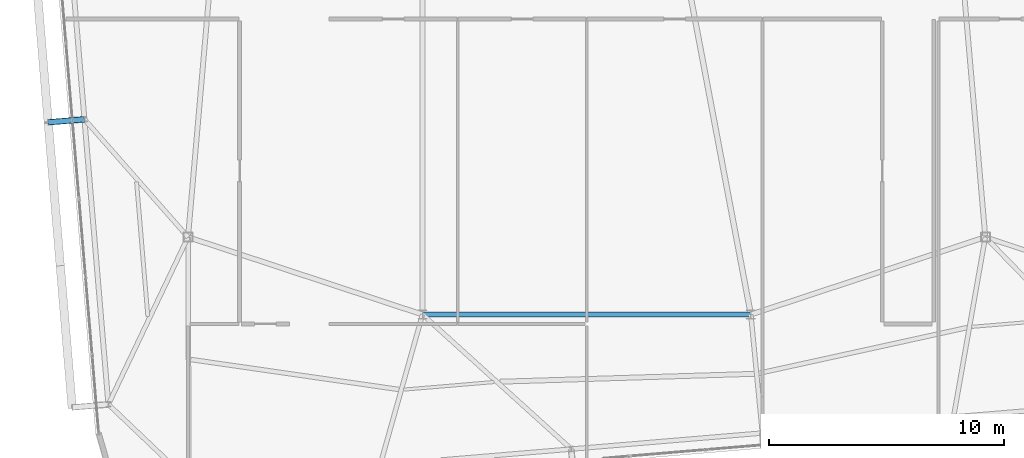
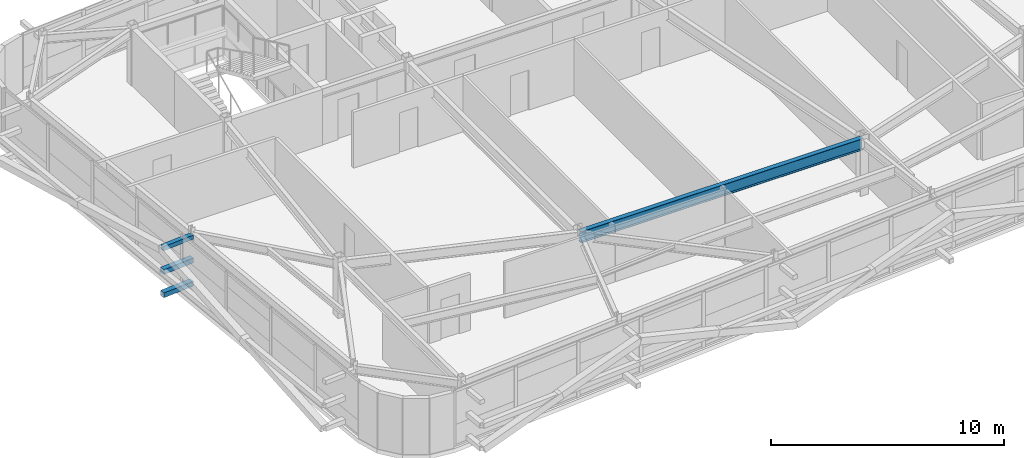
# One storey, part 13 of 46: 3 members, 1 beam.
"""IFC4 building model written with IfcOpenShell, lengths in metres."""

from ifc_helpers import new_model, si_unit, direction, frame, origin, origin_2d, place, context, subcontext, project, spatial, hollow_rectangle, i_section, extrude, source, transform, mapped, material, material_profile, profile_set, type_object, element, save


model = new_model("IFC4")

# Units and contexts
model_context = context("Model", 3, precision=1e-05, world=origin(), true_north=direction((0.0, 1.0)))
body_context = subcontext(model_context, "Body", "Model", "MODEL_VIEW")
ifc_project = project(units=[si_unit("LENGTHUNIT", "METRE"), si_unit("AREAUNIT", "SQUARE_METRE"), si_unit("VOLUMEUNIT", "CUBIC_METRE"), si_unit("PLANEANGLEUNIT", "RADIAN"), si_unit("MASSUNIT", "GRAM", prefix="KILO")], contexts=[model_context])

# Site, building, storey
site_placement = place(None, origin())
site = spatial("IfcSite", under=ifc_project, at=site_placement, CompositionType="ELEMENT")
building_placement = place(site_placement, origin())
building = spatial("IfcBuilding", under=site, at=building_placement, Name="Taldren Reach Tower", CompositionType="ELEMENT")
storey_placement = place(building_placement, frame((0.0, 0.0, 185.14990234375)))
storey = spatial("IfcBuildingStorey", under=building, at=storey_placement, Name="L56", CompositionType="ELEMENT", Elevation=185.14990234375)

# Beam
ifc_material_1 = material(Name="Steel Gr 350 (350PLUS)", Category="steel")
ifc_material_profile_1 = material_profile(ifc_material_1, i_section(OverallWidth=0.22802734375, OverallDepth=0.60205078125, WebThickness=0.010498046875, FlangeThickness=0.014892578125, at=origin_2d()), Name="610UB101")
ifc_profile_set_1 = profile_set([ifc_material_profile_1], Name="Steel Gr 350 (350PLUS)")
beam_type = type_object("IfcBeamType", Name="BM-UB610B", PredefinedType="BEAM", material=ifc_profile_set_1)
shared_shape_1 = source(origin(), body_context, "Body", "SweptSolid", [
    extrude(i_section(OverallWidth=0.22802734375, OverallDepth=0.60205078125, WebThickness=0.010498046875, FlangeThickness=0.014892578125, at=origin_2d()), origin(), (0.0, 0.0, 1.0), 14.0),
])
beam_placement = place(storey_placement, frame((28.0, 9.199951171875, 2.629150390625), z_axis=(1.0, 0.0, 0.0), x_axis=(0.0, 1.0, 0.0)))
element("IfcBeam", 1, at=beam_placement, inside=storey, type_object=beam_type, Name="Core-spine girder L56-SP11", PredefinedType="BEAM", context=body_context, shape_type="MappedRepresentation", body=[
    mapped(shared_shape_1, transform((0.0, 0.0, 0.0), scale=1.0)),
])

# Members
ifc_material_2 = material(Name="Steel Gr 450 (C450L0)", Category="steel")
ifc_material_profile_2 = material_profile(ifc_material_2, hollow_rectangle(XDim=0.219970703125, YDim=0.219970703125, WallThickness=0.00830078125, at=origin_2d()), Name="220x220x8.2SHS")
ifc_profile_set_2 = profile_set([ifc_material_profile_2], Name="Steel Gr 450 (C450L0)")
member_type_1 = type_object("IfcMemberType", Name="MB-TIE219", PredefinedType="STRUT", material=ifc_profile_set_2)
shared_shape_2 = source(origin(), body_context, "Body", "SweptSolid", [
    extrude(hollow_rectangle(XDim=0.219970703125, YDim=0.219970703125, WallThickness=0.00830078125, at=origin_2d()), origin(), (0.0, 0.0, 1.0), 1.54541015625),
])
member_placement = place(storey_placement, frame((13.578125, 17.52490234375, 2.650146484375), z_axis=(-0.99648887425, -0.083725285883, 0.0), x_axis=(0.083725285883, -0.99648887425, 0.0)))
element("IfcMember", 2, at=member_placement, inside=storey, type_object=member_type_1, Name="Exoskeleton diaphragm tie strut B4-W2 L56", PredefinedType="STRUT", context=body_context, shape_type="MappedRepresentation", body=[
    mapped(shared_shape_2, transform((0.0, 0.0, 0.0), scale=1.0)),
])
ifc_material_3 = material(Name="Steel Gr 350 (C350L0)", Category="steel")
ifc_material_profile_3 = material_profile(ifc_material_3, hollow_rectangle(XDim=0.25, YDim=0.25, WallThickness=0.010009765625, at=origin_2d()), Name="250x250x10.0SHS")
ifc_profile_set_3 = profile_set([ifc_material_profile_3], Name="Steel Gr 350 (C350L0)")
member_type_2 = type_object("IfcMemberType", Name="MB-POST250", PredefinedType="POST", material=ifc_profile_set_3)
shared_shape_3 = source(origin(), body_context, "Body", "SweptSolid", [
    extrude(hollow_rectangle(XDim=0.25, YDim=0.25, WallThickness=0.010009765625, at=origin_2d()), origin(), (0.0, 0.0, 1.0), 1.54541015625),
])
for number, where, z_axis, x_axis, name in (
    (3, (13.578125, 17.52490234375, 0.22021484375), (-0.99648887425, -0.083725285883, 0.0), (0.083725285883, -0.99648887425, 0.0), "Exoskeleton base diaphragm tie strut B4-W2 L56"),
    (4, (13.578125, 17.52490234375, 1.43505859375), (-0.99648887425, -0.083725285883, 0.0), (0.083725285883, -0.99648887425, 0.0), "Exoskeleton mid-tier diaphragm tie B4-W2 L56"),
):
    element("IfcMember", number, at=place(storey_placement, frame(where, z_axis=z_axis, x_axis=x_axis)), inside=storey, type_object=member_type_2, Name=name, PredefinedType="POST", context=body_context, shape_type="MappedRepresentation", body=[
        mapped(shared_shape_3, transform((0.0, 0.0, 0.0), scale=1.0)),
    ])

save(model, "model.ifc")
